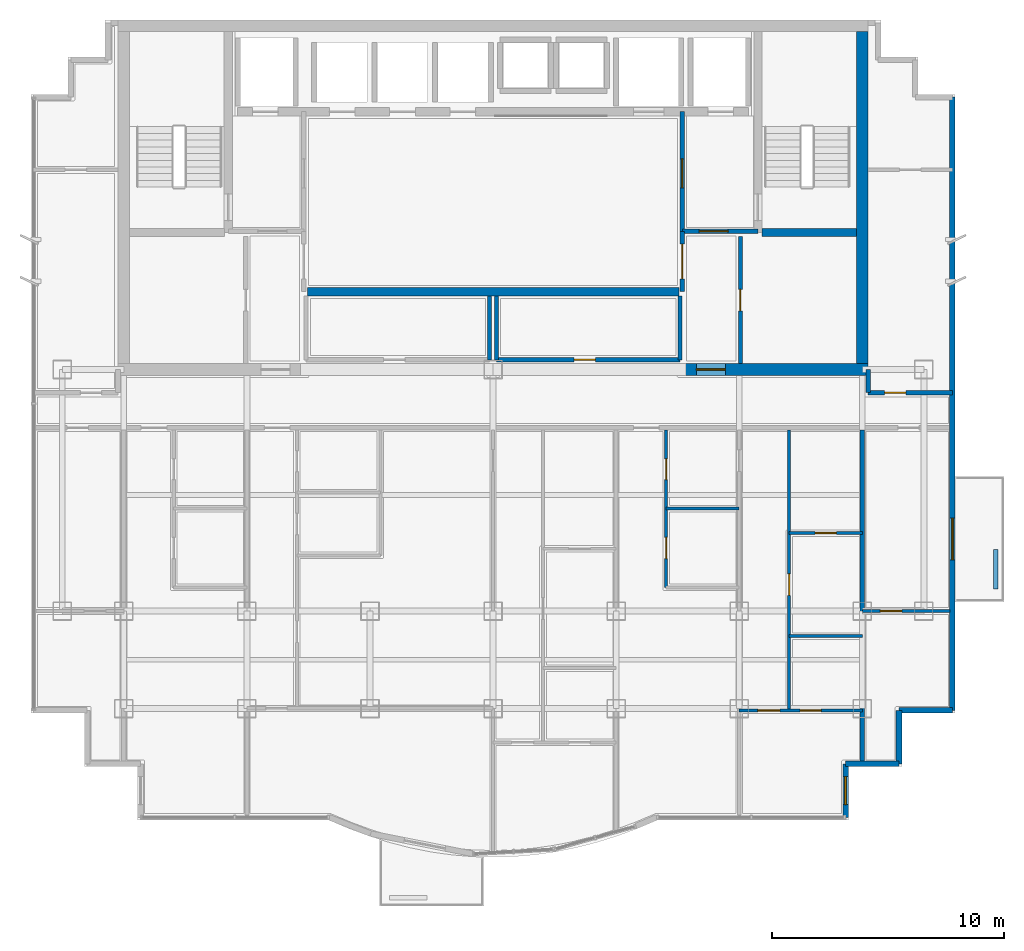
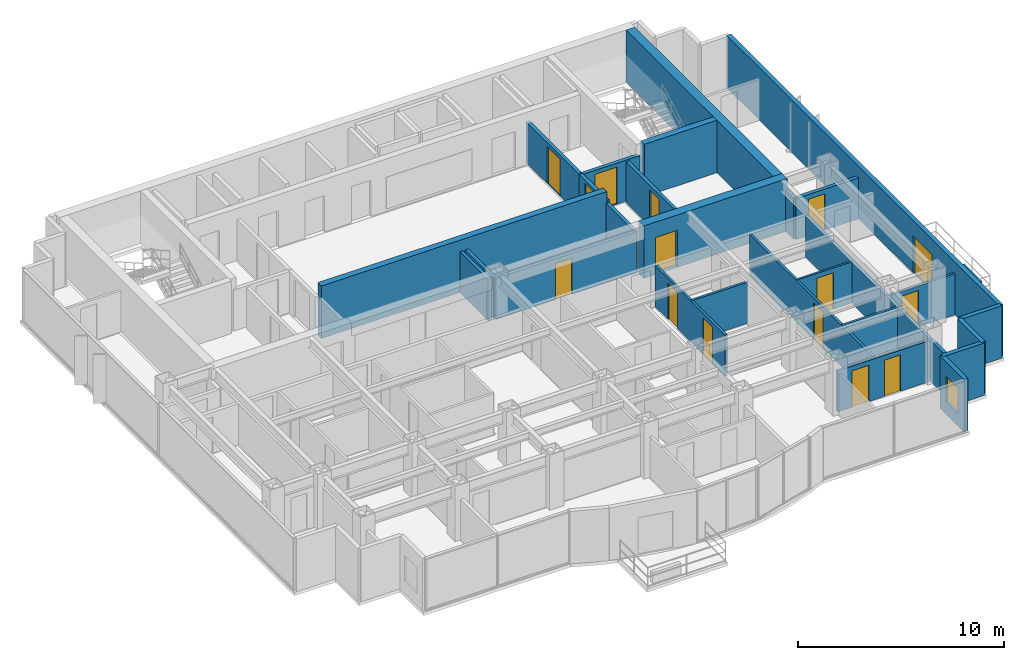
# One storey, part 8 of 11: 28 walls, 15 doors, 1 window, 16 openings.
"""IFC4 building model written with IfcOpenShell, lengths in metres."""

from ifc_helpers import new_model, si_unit, direction, frame, frame_2d, origin, place, context, subcontext, project, spatial, rectangle, extrude, material, layer, layer_set, type_object, element, fill, save


model = new_model("IFC4")

# Units and contexts
model_context = context("Model", 3, precision=1e-05, world=origin(), true_north=direction((0.0, 1.0)))
body_context = subcontext(model_context, "Body", "Model", "MODEL_VIEW")
ifc_project = project(units=[si_unit("LENGTHUNIT", "METRE"), si_unit("AREAUNIT", "SQUARE_METRE"), si_unit("VOLUMEUNIT", "CUBIC_METRE"), si_unit("PLANEANGLEUNIT", "RADIAN"), si_unit("MASSUNIT", "GRAM", prefix="KILO")], contexts=[model_context])

# Site, building, storey
site_placement = place(None, origin())
site = spatial("IfcSite", under=ifc_project, at=site_placement, CompositionType="ELEMENT")
building_placement = place(site_placement, origin())
building = spatial("IfcBuilding", under=site, at=building_placement, Name="Qianlan Lanfeng Residences", CompositionType="ELEMENT")
storey_placement = place(building_placement, frame((0.0, 0.0, 206.60009765625)))
storey = spatial("IfcBuildingStorey", under=building, at=storey_placement, Name="L56", CompositionType="ELEMENT", Elevation=206.60009765625)

# Walls
ifc_material_1 = material(Name="Concrete C49", Category="concrete")
ifc_layer_1 = layer(ifc_material_1, 0.35009765625)
ifc_layer_set_1 = layer_set([ifc_layer_1], Name="Concrete C49")
wall_type_1 = type_object("IfcWallType", Name="CW-RC-350", PredefinedType="SHEAR", material=ifc_layer_set_1)
wall_1_placement = place(storey_placement, frame((38.074951171875, 31.10009765625, 0.0), z_axis=(0.0, 0.0, 1.0), x_axis=(1.0, 0.0, 0.0)))
element("IfcWall", 1, at=wall_1_placement, inside=storey, type_object=wall_type_1, Name="L56 Core Shear Wall ST2S", PredefinedType="SHEAR", context=body_context, shape_type="SweptSolid", body=[
    extrude(rectangle(XDim=4.074951171875, YDim=0.35009765625, at=frame_2d((2.03759765625, 0.0))), origin(), (0.0, 0.0, 1.0), 3.10986328125),
])
wall_2_placement = place(storey_placement, frame((18.5, 28.550048828125, 0.0), z_axis=(0.0, 0.0, 1.0), x_axis=(1.0, 0.0, 0.0)))
element("IfcWall", 2, at=wall_2_placement, inside=storey, type_object=wall_type_1, Name="L56 Core Shear Wall LBS", PredefinedType="SHEAR", context=body_context, shape_type="SweptSolid", body=[
    extrude(rectangle(XDim=16.0, YDim=0.35009765625, at=frame_2d((8.0, 0.0))), origin(), (0.0, 0.0, 1.0), 3.10986328125),
])
ifc_material_2 = material(Name="Concrete C70", Category="concrete")
ifc_layer_2 = layer(ifc_material_2, 0.5)
ifc_layer_set_2 = layer_set([ifc_layer_2], Name="Concrete C70")
wall_type_2 = type_object("IfcWallType", Name="CW-RC-500", PredefinedType="SHEAR", material=ifc_layer_set_2)
wall_3_placement = place(storey_placement, frame((42.39990234375, 25.449951171875, 0.0), z_axis=(0.0, 0.0, 1.0), x_axis=(0.0, 1.0, 0.0)))
element("IfcWall", 3, at=wall_3_placement, inside=storey, type_object=wall_type_2, Name="L56 Core Shear Wall E", PredefinedType="SHEAR", context=body_context, shape_type="SweptSolid", body=[
    extrude(rectangle(XDim=14.300048828125, YDim=0.5, at=frame_2d((7.14990234375, 0.0))), origin(), (0.0, 0.0, 1.0), 3.10986328125),
])

# Wall, opening, door
wall_4_placement = place(storey_placement, frame((34.60009765625, 25.199951171875, 0.0), z_axis=(0.0, 0.0, 1.0), x_axis=(1.0, 0.0, 0.0)))
wall_4 = element("IfcWall", 4, at=wall_4_placement, inside=storey, type_object=wall_type_2, Name="L56 Core Shear Wall SE", PredefinedType="SHEAR", context=body_context, shape_type="SweptSolid", body=[
    extrude(rectangle(XDim=8.0498046875, YDim=0.5, at=frame_2d((4.02490234375, 0.0))), origin(), (0.0, 0.0, 1.0), 3.10986328125),
])
opening_1_placement = place(wall_4_placement, frame((0.64990234375, 0.0, 0.0)))
opening_1 = element("IfcOpeningElement", 5, at=opening_1_placement, cuts=wall_4, Name="Opening L56-D02", PredefinedType="OPENING", context=body_context, shape_type="SweptSolid", body=[
    extrude(rectangle(XDim=1.25, YDim=2.199951171875, at=frame_2d((0.625, 1.10009765625))), frame((0.0, 0.260009765625, 0.0), z_axis=(0.0, -1.0, 0.0), x_axis=(1.0, 0.0, 0.0)), (0.0, 0.0, 1.0), 0.52001953125),
])
ifc_material_3 = material(Name="Painted Galvanised Steel Fire Door", Category="steel")
door_type_1 = type_object("IfcDoorType", Name="DT-FFL", OperationType="NOTDEFINED", PredefinedType="DOOR", material=ifc_material_3)
door_1_placement = place(opening_1_placement, origin())
door_1 = element("IfcDoor", 6, at=door_1_placement, inside=storey, type_object=door_type_1, Name="L56 East Core Lobby Smoke Door L56-D02 (DT-FFL)", OperationType="SINGLE_SWING_LEFT", OverallHeight=2.199951171875, OverallWidth=1.25, PredefinedType="DOOR", context=body_context, shape_type="SweptSolid", body=[
    extrude(rectangle(XDim=1.25, YDim=2.199951171875, at=frame_2d((0.625, 1.10009765625))), frame((0.0, 0.02490234375, 0.0), z_axis=(0.0, -1.0, 0.0), x_axis=(1.0, 0.0, 0.0)), (0.0, 0.0, 1.0), 0.050048828125),
])
fill(opening_1, door_1)

# Wall, opening, window
ifc_material_4 = material(Name="Concrete C42", Category="concrete")
ifc_layer_3 = layer(ifc_material_4, 0.239990234375)
ifc_layer_set_3 = layer_set([ifc_layer_3], Name="Concrete C42")
wall_type_3 = type_object("IfcWallType", Name="EW-240", PredefinedType="SOLIDWALL", material=ifc_layer_set_3)
wall_5_placement = place(storey_placement, frame((41.679931640625, 5.919921875, 0.0), z_axis=(0.0, 0.0, 1.0), x_axis=(0.0, 1.0, 0.0)))
wall_5 = element("IfcWall", 7, at=wall_5_placement, inside=storey, type_object=wall_type_3, Name="L56 Exterior Facade Spandrel Wall 8", PredefinedType="SOLIDWALL", context=body_context, shape_type="SweptSolid", body=[
    extrude(rectangle(XDim=2.300048828125, YDim=0.239990234375, at=frame_2d((1.14990234375, 0.0))), origin(), (0.0, 0.0, 1.0), 3.10986328125),
])
opening_2_placement = place(wall_5_placement, frame((0.550048828125, 0.0, 0.75)))
opening_2 = element("IfcOpeningElement", 8, at=opening_2_placement, cuts=wall_5, Name="Opening W-03", PredefinedType="OPENING", context=body_context, shape_type="SweptSolid", body=[
    extrude(rectangle(XDim=1.199951171875, YDim=1.5, at=frame_2d((0.60009765625, 0.75))), frame((0.0, 0.1298828125, 0.0), z_axis=(0.0, -1.0, 0.0), x_axis=(1.0, 0.0, 0.0)), (0.0, 0.0, 1.0), 0.260009765625),
])
ifc_material_5 = material(Name="Anodised Bronze Aluminium Framed Double Glazing", Category="aluminium")
window_type = type_object("IfcWindowType", Name="W-03", PartitioningType="SINGLE_PANEL", PredefinedType="WINDOW", material=ifc_material_5)
window_placement = place(opening_2_placement, origin())
window = element("IfcWindow", 9, at=window_placement, inside=storey, type_object=window_type, Name="L56 Facade Punched Window W-03", OverallHeight=1.5, OverallWidth=1.199951171875, PartitioningType="SINGLE_PANEL", PredefinedType="WINDOW", context=body_context, shape_type="SweptSolid", body=[
    extrude(rectangle(XDim=1.199951171875, YDim=1.5, at=frame_2d((0.60009765625, 0.75))), frame((0.0, 0.030029296875, 0.0), z_axis=(0.0, -1.0, 0.0), x_axis=(1.0, 0.0, 0.0)), (0.0, 0.0, 1.0), 0.06005859375),
])
fill(opening_2, window)

# Walls
for number, where, z_axis, x_axis, name in (
    (10, (41.679931640625, 8.219970703125, 0.0), (0.0, 0.0, 1.0), (1.0, 0.0, 0.0), "L56 Exterior Facade Spandrel Wall 9"),
    (11, (43.97998046875, 8.219970703125, 0.0), (0.0, 0.0, 1.0), (0.0, 1.0, 0.0), "L56 Exterior Facade Spandrel Wall 10"),
    (12, (43.97998046875, 10.52001953125, 0.0), (0.0, 0.0, 1.0), (1.0, 0.0, 0.0), "L56 Exterior Facade Spandrel Wall 11"),
):
    element("IfcWall", number, at=place(storey_placement, frame(where, z_axis=z_axis, x_axis=x_axis)), inside=storey, type_object=wall_type_3, Name=name, PredefinedType="SOLIDWALL", context=body_context, shape_type="SweptSolid", body=[
        extrude(rectangle(XDim=2.300048828125, YDim=0.239990234375, at=frame_2d((1.14990234375, 0.0))), origin(), (0.0, 0.0, 1.0), 3.10986328125),
    ])

# Wall, opening, door
wall_6_placement = place(storey_placement, frame((46.280029296875, 10.52001953125, 0.0), z_axis=(0.0, 0.0, 1.0), x_axis=(0.0, 1.0, 0.0)))
wall_6 = element("IfcWall", 13, at=wall_6_placement, inside=storey, type_object=wall_type_3, Name="L56 Terrace/Balcony Access Exterior Wall 12", PredefinedType="SOLIDWALL", context=body_context, shape_type="SweptSolid", body=[
    extrude(rectangle(XDim=26.409912109375, YDim=0.239990234375, at=frame_2d((13.205078125, 0.0))), origin(), (0.0, 0.0, 1.0), 3.10986328125),
])
opening_3_placement = place(wall_6_placement, frame((6.47998046875, 0.0, 0.0)))
opening_3 = element("IfcOpeningElement", 14, at=opening_3_placement, cuts=wall_6, Name="Opening L56-D-EB-S", PredefinedType="OPENING", context=body_context, shape_type="SweptSolid", body=[
    extrude(rectangle(XDim=1.800048828125, YDim=2.199951171875, at=frame_2d((0.89990234375, 1.10009765625))), frame((0.0, 0.1298828125, 0.0), z_axis=(0.0, -1.0, 0.0), x_axis=(1.0, 0.0, 0.0)), (0.0, 0.0, 1.0), 0.260009765625),
])
ifc_material_6 = material(Name="Anodised Bronze Aluminium Framed Glass", Category="aluminium")
door_type_2 = type_object("IfcDoorType", Name="DT-BAL1", OperationType="NOTDEFINED", PredefinedType="DOOR", material=ifc_material_6)
door_2_placement = place(opening_3_placement, frame((1.800048828125, 0.0, 0.0), z_axis=(0.0, 0.0, 1.0), x_axis=(-1.0, 0.0, 0.0)))
door_2 = element("IfcDoor", 15, at=door_2_placement, inside=storey, type_object=door_type_2, Name="L56 Exterior Access Door EB-S", OperationType="DOUBLE_DOOR_SLIDING", OverallHeight=2.199951171875, OverallWidth=1.800048828125, PredefinedType="DOOR", context=body_context, shape_type="SweptSolid", body=[
    extrude(rectangle(XDim=1.800048828125, YDim=2.199951171875, at=frame_2d((0.89990234375, 1.10009765625))), frame((0.0, 0.02490234375, 0.0), z_axis=(0.0, -1.0, 0.0), x_axis=(1.0, 0.0, 0.0)), (0.0, 0.0, 1.0), 0.050048828125),
])
fill(opening_3, door_2)

# Wall
ifc_layer_4 = layer(ifc_material_4, 0.199951171875)
ifc_layer_set_4 = layer_set([ifc_layer_4], Name="Concrete C42")
wall_type_4 = type_object("IfcWallType", Name="PL-TREE-200", PredefinedType="PARAPET", material=ifc_layer_set_4)
wall_7_placement = place(storey_placement, frame((48.14990234375, 15.75, 0.0), z_axis=(0.0, 0.0, 1.0), x_axis=(0.0, 1.0, 0.0)))
element("IfcWall", 16, at=wall_7_placement, inside=storey, type_object=wall_type_4, Name="L56 East Tree Planter Curb EB-S", PredefinedType="PARAPET", context=body_context, shape_type="SweptSolid", body=[
    extrude(rectangle(XDim=1.699951171875, YDim=0.199951171875, at=frame_2d((0.85009765625, 0.0))), origin(), (0.0, 0.0, 1.0), 0.64990234375),
])

# Wall, opening, door
ifc_material_7 = material(Name="Demountable Acoustic Framing Partition 110 mm")
ifc_layer_5 = layer(ifc_material_7, 0.110107421875)
ifc_layer_set_5 = layer_set([ifc_layer_5], Name="Demountable Acoustic Framing Partition 110 mm")
wall_type_5 = type_object("IfcWallType", Name="PW-110", PredefinedType="MOVABLE", material=ifc_layer_set_5)
wall_8_placement = place(storey_placement, frame((39.25, 18.159912109375, 0.0), z_axis=(0.0, 0.0, 1.0), x_axis=(1.0, 0.0, 0.0)))
wall_8 = element("IfcWall", 17, at=wall_8_placement, inside=storey, type_object=wall_type_5, Name="L56 U03 Wardrobe Split", PredefinedType="MOVABLE", context=body_context, shape_type="SweptSolid", body=[
    extrude(rectangle(XDim=3.14990234375, YDim=0.110107421875, at=frame_2d((1.574951171875, 0.0))), origin(), (0.0, 0.0, 1.0), 2.429931640625),
])
opening_4_placement = place(wall_8_placement, frame((1.114990234375, 0.0, 0.0)))
opening_4 = element("IfcOpeningElement", 18, at=opening_4_placement, cuts=wall_8, Name="Opening L56-D35", PredefinedType="OPENING", context=body_context, shape_type="SweptSolid", body=[
    extrude(rectangle(XDim=0.919921875, YDim=2.14990234375, at=frame_2d((0.4599609375, 1.074951171875))), frame((0.0, 0.06494140625, 0.0), z_axis=(0.0, -1.0, 0.0), x_axis=(1.0, 0.0, 0.0)), (0.0, 0.0, 1.0), 0.130126953125),
])
ifc_material_8 = material(Name="Glazed Timber Kitchen/Study Door", Category="wood")
door_type_3 = type_object("IfcDoorType", Name="DT-INT", OperationType="NOTDEFINED", PredefinedType="DOOR", material=ifc_material_8)
door_3_placement = place(opening_4_placement, origin())
door_3 = element("IfcDoor", 19, at=door_3_placement, inside=storey, type_object=door_type_3, Name="L56 U03 Dressing Inner Door L56-D35 (DT-INT)", OperationType="SINGLE_SWING_RIGHT", OverallHeight=2.14990234375, OverallWidth=0.919921875, PredefinedType="DOOR", context=body_context, shape_type="SweptSolid", body=[
    extrude(rectangle(XDim=0.919921875, YDim=2.14990234375, at=frame_2d((0.4599609375, 1.074951171875))), frame((0.0, 0.02490234375, 0.0), z_axis=(0.0, -1.0, 0.0), x_axis=(1.0, 0.0, 0.0)), (0.0, 0.0, 1.0), 0.050048828125),
])
fill(opening_4, door_3)

# Wall, openings, doors
ifc_material_9 = material(Name="Moisture-Resistant Gypsum Partition 135 mm")
ifc_layer_6 = layer(ifc_material_9, 0.135009765625)
ifc_layer_set_6 = layer_set([ifc_layer_6], Name="Moisture-Resistant Gypsum Partition 135 mm")
wall_type_6 = type_object("IfcWallType", Name="PW-135", PredefinedType="PARTITIONING", material=ifc_layer_set_6)
wall_9_placement = place(storey_placement, frame((33.949951171875, 15.820068359375, 0.0), z_axis=(0.0, 0.0, 1.0), x_axis=(0.0, 1.0, 0.0)))
wall_9 = element("IfcWall", 20, at=wall_9_placement, inside=storey, type_object=wall_type_6, Name="L56 U03 Wet Stack Spine", PredefinedType="PARTITIONING", context=body_context, shape_type="SweptSolid", body=[
    extrude(rectangle(XDim=6.780029296875, YDim=0.135009765625, at=frame_2d((3.39013671875, 0.0))), origin(), (0.0, 0.0, 1.0), 2.429931640625),
])
opening_5_placement = place(wall_9_placement, frame((1.235107421875, 0.0, 0.0)))
opening_5 = element("IfcOpeningElement", 21, at=opening_5_placement, cuts=wall_9, Name="Opening L56-D30", PredefinedType="OPENING", context=body_context, shape_type="SweptSolid", body=[
    extrude(rectangle(XDim=0.919921875, YDim=2.14990234375, at=frame_2d((0.4599609375, 1.074951171875))), frame((0.0, 0.07763671875, 0.0), z_axis=(0.0, -1.0, 0.0), x_axis=(1.0, 0.0, 0.0)), (0.0, 0.0, 1.0), 0.155029296875),
])
opening_6_placement = place(wall_9_placement, frame((4.635009765625, 0.0, 0.0)))
opening_6 = element("IfcOpeningElement", 22, at=opening_6_placement, cuts=wall_9, Name="Opening L56-D31", PredefinedType="OPENING", context=body_context, shape_type="SweptSolid", body=[
    extrude(rectangle(XDim=0.89990234375, YDim=2.14990234375, at=frame_2d((0.449951171875, 1.074951171875))), frame((0.0, 0.07763671875, 0.0), z_axis=(0.0, -1.0, 0.0), x_axis=(1.0, 0.0, 0.0)), (0.0, 0.0, 1.0), 0.155029296875),
])
door_4_placement = place(opening_5_placement, origin())
door_4 = element("IfcDoor", 23, at=door_4_placement, inside=storey, type_object=door_type_3, Name="L56 U03 Kitchen Door L56-D30 (DT-INT)", OperationType="SINGLE_SWING_LEFT", OverallHeight=2.14990234375, OverallWidth=0.919921875, PredefinedType="DOOR", context=body_context, shape_type="SweptSolid", body=[
    extrude(rectangle(XDim=0.919921875, YDim=2.14990234375, at=frame_2d((0.4599609375, 1.074951171875))), frame((0.0, 0.02490234375, 0.0), z_axis=(0.0, -1.0, 0.0), x_axis=(1.0, 0.0, 0.0)), (0.0, 0.0, 1.0), 0.050048828125),
])
fill(opening_5, door_4)
ifc_material_10 = material(Name="Moisture-Resistant Timber Leaf", Category="wood")
door_type_4 = type_object("IfcDoorType", Name="DT-WC", OperationType="NOTDEFINED", PredefinedType="DOOR", material=ifc_material_10)
door_5_placement = place(opening_6_placement, origin())
door_5 = element("IfcDoor", 24, at=door_5_placement, inside=storey, type_object=door_type_4, Name="L56 U03 Bathroom Door L56-D31 (DT-WC)", OperationType="SINGLE_SWING_RIGHT", OverallHeight=2.14990234375, OverallWidth=0.89990234375, PredefinedType="DOOR", context=body_context, shape_type="SweptSolid", body=[
    extrude(rectangle(XDim=0.89990234375, YDim=2.14990234375, at=frame_2d((0.449951171875, 1.074951171875))), frame((0.0, 0.02490234375, 0.0), z_axis=(0.0, -1.0, 0.0), x_axis=(1.0, 0.0, 0.0)), (0.0, 0.0, 1.0), 0.050048828125),
])
fill(opening_6, door_5)

# Wall
wall_10_placement = place(storey_placement, frame((33.949951171875, 19.2099609375, 0.0), z_axis=(0.0, 0.0, 1.0), x_axis=(1.0, 0.0, 0.0)))
element("IfcWall", 25, at=wall_10_placement, inside=storey, type_object=wall_type_6, Name="L56 U03 Bathroom South Wall", PredefinedType="PARTITIONING", context=body_context, shape_type="SweptSolid", body=[
    extrude(rectangle(XDim=3.150146484375, YDim=0.135009765625, at=frame_2d((1.5751953125, 0.0))), origin(), (0.0, 0.0, 1.0), 2.429931640625),
])

# Wall, openings, doors
wall_11_placement = place(storey_placement, frame((37.10009765625, 10.52001953125, 0.0), z_axis=(0.0, 0.0, 1.0), x_axis=(1.0, 0.0, 0.0)))
wall_11 = element("IfcWall", 26, at=wall_11_placement, inside=storey, type_object=wall_type_6, Name="L56 U03 Master Bedroom North Wall", PredefinedType="PARTITIONING", context=body_context, shape_type="SweptSolid", body=[
    extrude(rectangle(XDim=5.2998046875, YDim=0.135009765625, at=frame_2d((2.64990234375, 0.0))), origin(), (0.0, 0.0, 1.0), 2.429931640625),
])
opening_7_placement = place(wall_11_placement, frame((0.800048828125, 0.0, 0.0)))
opening_7 = element("IfcOpeningElement", 27, at=opening_7_placement, cuts=wall_11, Name="Opening L56-D32", PredefinedType="OPENING", context=body_context, shape_type="SweptSolid", body=[
    extrude(rectangle(XDim=0.949951171875, YDim=2.14990234375, at=frame_2d((0.47509765625, 1.074951171875))), frame((0.0, 0.07763671875, 0.0), z_axis=(0.0, -1.0, 0.0), x_axis=(1.0, 0.0, 0.0)), (0.0, 0.0, 1.0), 0.155029296875),
])
opening_8_placement = place(wall_11_placement, frame((2.625, 0.0, 0.0)))
opening_8 = element("IfcOpeningElement", 28, at=opening_8_placement, cuts=wall_11, Name="Opening L56-D33", PredefinedType="OPENING", context=body_context, shape_type="SweptSolid", body=[
    extrude(rectangle(XDim=0.89990234375, YDim=2.14990234375, at=frame_2d((0.449951171875, 1.074951171875))), frame((0.0, 0.07763671875, 0.0), z_axis=(0.0, -1.0, 0.0), x_axis=(1.0, 0.0, 0.0)), (0.0, 0.0, 1.0), 0.155029296875),
])
ifc_material_11 = material(Name="Painted Solid-Core Timber Leaf", Category="wood")
door_type_5 = type_object("IfcDoorType", Name="DT-BED", OperationType="NOTDEFINED", PredefinedType="DOOR", material=ifc_material_11)
door_6_placement = place(opening_7_placement, origin())
door_6 = element("IfcDoor", 29, at=door_6_placement, inside=storey, type_object=door_type_5, Name="L56 U03 Master Bedroom Door L56-D32 (DT-BED)", OperationType="SINGLE_SWING_RIGHT", OverallHeight=2.14990234375, OverallWidth=0.949951171875, PredefinedType="DOOR", context=body_context, shape_type="SweptSolid", body=[
    extrude(rectangle(XDim=0.949951171875, YDim=2.14990234375, at=frame_2d((0.47509765625, 1.074951171875))), frame((0.0, 0.02490234375, 0.0), z_axis=(0.0, -1.0, 0.0), x_axis=(1.0, 0.0, 0.0)), (0.0, 0.0, 1.0), 0.050048828125),
])
fill(opening_7, door_6)
door_7_placement = place(opening_8_placement, origin())
door_7 = element("IfcDoor", 30, at=door_7_placement, inside=storey, type_object=door_type_4, Name="L56 U03 En-Suite Bathroom Door L56-D33 (DT-WC)", OperationType="SINGLE_SWING_RIGHT", OverallHeight=2.14990234375, OverallWidth=0.89990234375, PredefinedType="DOOR", context=body_context, shape_type="SweptSolid", body=[
    extrude(rectangle(XDim=0.89990234375, YDim=2.14990234375, at=frame_2d((0.449951171875, 1.074951171875))), frame((0.0, 0.02490234375, 0.0), z_axis=(0.0, -1.0, 0.0), x_axis=(1.0, 0.0, 0.0)), (0.0, 0.0, 1.0), 0.050048828125),
])
fill(opening_8, door_7)

# Wall, opening, door
wall_12_placement = place(storey_placement, frame((39.25, 10.52001953125, 0.0), z_axis=(0.0, 0.0, 1.0), x_axis=(0.0, 1.0, 0.0)))
wall_12 = element("IfcWall", 31, at=wall_12_placement, inside=storey, type_object=wall_type_6, Name="L56 U03 Master Passage Wall", PredefinedType="PARTITIONING", context=body_context, shape_type="SweptSolid", body=[
    extrude(rectangle(XDim=12.080078125, YDim=0.135009765625, at=frame_2d((6.0400390625, 0.0))), origin(), (0.0, 0.0, 1.0), 2.429931640625),
])
opening_9_placement = place(wall_12_placement, frame((4.9599609375, 0.0, 0.0)))
opening_9 = element("IfcOpeningElement", 32, at=opening_9_placement, cuts=wall_12, Name="Opening L56-D34", PredefinedType="OPENING", context=body_context, shape_type="SweptSolid", body=[
    extrude(rectangle(XDim=0.919921875, YDim=2.14990234375, at=frame_2d((0.4599609375, 1.074951171875))), frame((0.0, 0.07763671875, 0.0), z_axis=(0.0, -1.0, 0.0), x_axis=(1.0, 0.0, 0.0)), (0.0, 0.0, 1.0), 0.155029296875),
])
door_8_placement = place(opening_9_placement, origin())
door_8 = element("IfcDoor", 33, at=door_8_placement, inside=storey, type_object=door_type_3, Name="L56 U03 Wardrobe Door L56-D34 (DT-INT)", OperationType="SINGLE_SWING_LEFT", OverallHeight=2.14990234375, OverallWidth=0.919921875, PredefinedType="DOOR", context=body_context, shape_type="SweptSolid", body=[
    extrude(rectangle(XDim=0.919921875, YDim=2.14990234375, at=frame_2d((0.4599609375, 1.074951171875))), frame((0.0, 0.02490234375, 0.0), z_axis=(0.0, -1.0, 0.0), x_axis=(1.0, 0.0, 0.0)), (0.0, 0.0, 1.0), 0.050048828125),
])
fill(opening_9, door_8)

# Wall
wall_13_placement = place(storey_placement, frame((39.25, 13.719970703125, 0.0), z_axis=(0.0, 0.0, 1.0), x_axis=(1.0, 0.0, 0.0)))
element("IfcWall", 34, at=wall_13_placement, inside=storey, type_object=wall_type_6, Name="L56 U03 En-Suite North Wall", PredefinedType="PARTITIONING", context=body_context, shape_type="SweptSolid", body=[
    extrude(rectangle(XDim=3.14990234375, YDim=0.135009765625, at=frame_2d((1.574951171875, 0.0))), origin(), (0.0, 0.0, 1.0), 2.429931640625),
])

# Wall, opening, door
wall_14_placement = place(storey_placement, frame((42.39990234375, 14.800048828125, 0.0), z_axis=(0.0, 0.0, 1.0), x_axis=(1.0, 0.0, 0.0)))
wall_14 = element("IfcWall", 35, at=wall_14_placement, inside=storey, type_object=wall_type_6, Name="L56 SEP Mid Partition", PredefinedType="PARTITIONING", context=body_context, shape_type="SweptSolid", body=[
    extrude(rectangle(XDim=3.780029296875, YDim=0.135009765625, at=frame_2d((1.89013671875, 0.0))), origin(), (0.0, 0.0, 1.0), 2.429931640625),
])
opening_10_placement = place(wall_14_placement, frame((0.780029296875, 0.0, 0.0)))
opening_10 = element("IfcOpeningElement", 36, at=opening_10_placement, cuts=wall_14, Name="Opening L56-D38", PredefinedType="OPENING", context=body_context, shape_type="SweptSolid", body=[
    extrude(rectangle(XDim=0.919921875, YDim=2.14990234375, at=frame_2d((0.4599609375, 1.074951171875))), frame((0.0, 0.07763671875, 0.0), z_axis=(0.0, -1.0, 0.0), x_axis=(1.0, 0.0, 0.0)), (0.0, 0.0, 1.0), 0.155029296875),
])
door_9_placement = place(opening_10_placement, origin())
door_9 = element("IfcDoor", 37, at=door_9_placement, inside=storey, type_object=door_type_3, Name="L56 SEP Inner Door L56-D38 (DT-INT)", OperationType="SINGLE_SWING_RIGHT", OverallHeight=2.14990234375, OverallWidth=0.919921875, PredefinedType="DOOR", context=body_context, shape_type="SweptSolid", body=[
    extrude(rectangle(XDim=0.919921875, YDim=2.14990234375, at=frame_2d((0.4599609375, 1.074951171875))), frame((0.0, 0.02490234375, 0.0), z_axis=(0.0, -1.0, 0.0), x_axis=(1.0, 0.0, 0.0)), (0.0, 0.0, 1.0), 0.050048828125),
])
fill(opening_10, door_9)

ifc_material_12 = material(Name="Double-Layer Acoustic Gypsum Stud Wall 180 mm")
ifc_layer_7 = layer(ifc_material_12, 0.179931640625)
ifc_layer_set_7 = layer_set([ifc_layer_7], Name="Double-Layer Acoustic Gypsum Stud Wall 180 mm")
wall_type_7 = type_object("IfcWallType", Name="PW-180", PredefinedType="PARTITIONING", material=ifc_layer_set_7)
wall_15_placement = place(storey_placement, frame((37.14990234375, 25.449951171875, 0.0), z_axis=(0.0, 0.0, 1.0), x_axis=(0.0, 1.0, 0.0)))
wall_15 = element("IfcWall", 38, at=wall_15_placement, inside=storey, type_object=wall_type_7, Name="L56 Core East Service Room Wall", PredefinedType="PARTITIONING", context=body_context, shape_type="SweptSolid", body=[
    extrude(rectangle(XDim=5.47509765625, YDim=0.179931640625, at=frame_2d((2.737548828125, 0.0))), origin(), (0.0, 0.0, 1.0), 2.429931640625),
])
opening_11_placement = place(wall_15_placement, frame((2.277099609375, 0.0, 0.0)))
opening_11 = element("IfcOpeningElement", 39, at=opening_11_placement, cuts=wall_15, Name="Opening L56-D10", PredefinedType="OPENING", context=body_context, shape_type="SweptSolid", body=[
    extrude(rectangle(XDim=0.919921875, YDim=2.14990234375, at=frame_2d((0.4599609375, 1.074951171875))), frame((0.0, 0.10009765625, 0.0), z_axis=(0.0, -1.0, 0.0), x_axis=(1.0, 0.0, 0.0)), (0.0, 0.0, 1.0), 0.199951171875),
])
door_10_placement = place(opening_11_placement, origin())
door_10 = element("IfcDoor", 40, at=door_10_placement, inside=storey, type_object=door_type_3, Name="L56 Refuse Recycling Door L56-D10 (DT-INT)", OperationType="SINGLE_SWING_LEFT", OverallHeight=2.14990234375, OverallWidth=0.919921875, PredefinedType="DOOR", context=body_context, shape_type="SweptSolid", body=[
    extrude(rectangle(XDim=0.919921875, YDim=2.14990234375, at=frame_2d((0.4599609375, 1.074951171875))), frame((0.0, 0.02490234375, 0.0), z_axis=(0.0, -1.0, 0.0), x_axis=(1.0, 0.0, 0.0)), (0.0, 0.0, 1.0), 0.050048828125),
])
fill(opening_11, door_10)

# Walls
for number, where, z_axis, x_axis, name in (
    (41, (26.35009765625, 25.6201171875, 0.0), (0.0, 0.0, 1.0), (0.0, 1.0, 0.0), "L56 Reclaimed Low-Bank Room East Wall"),
    (42, (26.64990234375, 25.6201171875, 0.0), (0.0, 0.0, 1.0), (0.0, 1.0, 0.0), "L56 Reclaimed Mid-Bank Room West Wall"),
    (43, (34.550048828125, 25.6201171875, 0.0), (0.0, 0.0, 1.0), (0.0, 1.0, 0.0), "L56 Reclaimed Mid-Bank Room East Wall"),
):
    element("IfcWall", number, at=place(storey_placement, frame(where, z_axis=z_axis, x_axis=x_axis)), inside=storey, type_object=wall_type_7, Name=name, PredefinedType="PARTITIONING", context=body_context, shape_type="SweptSolid", body=[
        extrude(rectangle(XDim=2.7548828125, YDim=0.179931640625, at=frame_2d((1.37744140625, 0.0))), origin(), (0.0, 0.0, 1.0), 2.429931640625),
    ])

# Wall, opening, door
wall_16_placement = place(storey_placement, frame((26.64990234375, 25.6201171875, 0.0), z_axis=(0.0, 0.0, 1.0), x_axis=(1.0, 0.0, 0.0)))
wall_16 = element("IfcWall", 44, at=wall_16_placement, inside=storey, type_object=wall_type_7, Name="L56 Reclaimed Mid-Bank Room South Wall", PredefinedType="PARTITIONING", context=body_context, shape_type="SweptSolid", body=[
    extrude(rectangle(XDim=7.900146484375, YDim=0.179931640625, at=frame_2d((3.9501953125, 0.0))), origin(), (0.0, 0.0, 1.0), 2.429931640625),
])
opening_12_placement = place(wall_16_placement, frame((3.340087890625, 0.0, 0.0)))
opening_12 = element("IfcOpeningElement", 45, at=opening_12_placement, cuts=wall_16, Name="Opening L56-D14", PredefinedType="OPENING", context=body_context, shape_type="SweptSolid", body=[
    extrude(rectangle(XDim=0.919921875, YDim=2.14990234375, at=frame_2d((0.4599609375, 1.074951171875))), frame((0.0, 0.10009765625, 0.0), z_axis=(0.0, -1.0, 0.0), x_axis=(1.0, 0.0, 0.0)), (0.0, 0.0, 1.0), 0.199951171875),
])
door_11_placement = place(opening_12_placement, origin())
door_11 = element("IfcDoor", 46, at=door_11_placement, inside=storey, type_object=door_type_3, Name="L56 Reclaimed Mid-Bank Salon Door L56-D14 (DT-INT)", OperationType="SINGLE_SWING_LEFT", OverallHeight=2.14990234375, OverallWidth=0.919921875, PredefinedType="DOOR", context=body_context, shape_type="SweptSolid", body=[
    extrude(rectangle(XDim=0.919921875, YDim=2.14990234375, at=frame_2d((0.4599609375, 1.074951171875))), frame((0.0, 0.02490234375, 0.0), z_axis=(0.0, -1.0, 0.0), x_axis=(1.0, 0.0, 0.0)), (0.0, 0.0, 1.0), 0.050048828125),
])
fill(opening_12, door_11)

# Wall
wall_17_placement = place(storey_placement, frame((42.39990234375, 8.320068359375, 0.0), z_axis=(0.0, 0.0, 1.0), x_axis=(0.0, 1.0, 0.0)))
element("IfcWall", 47, at=wall_17_placement, inside=storey, type_object=wall_type_7, Name="L56 Wing Boundary Party Wall E0", PredefinedType="PARTITIONING", context=body_context, shape_type="SweptSolid", body=[
    extrude(rectangle(XDim=14.280029296875, YDim=0.179931640625, at=frame_2d((7.14013671875, 0.0))), origin(), (0.0, 0.0, 1.0), 2.429931640625),
])

# Wall, opening, door
ifc_material_13 = material(Name="Autoclaved Aerated Concrete Blockwork 200 mm", Category="masonry")
ifc_layer_8 = layer(ifc_material_13, 0.199951171875)
ifc_layer_set_8 = layer_set([ifc_layer_8], Name="Autoclaved Aerated Concrete Blockwork 200 mm")
wall_type_8 = type_object("IfcWallType", Name="PW-200", PredefinedType="PARTITIONING", material=ifc_layer_set_8)
wall_18_placement = place(storey_placement, frame((34.64990234375, 31.14990234375, 0.0), z_axis=(0.0, 0.0, 1.0), x_axis=(1.0, 0.0, 0.0)))
wall_18 = element("IfcWall", 48, at=wall_18_placement, inside=storey, type_object=wall_type_8, Name="L56 Firefighting Lobby 2 South Wall", PredefinedType="PARTITIONING", context=body_context, shape_type="SweptSolid", body=[
    extrude(rectangle(XDim=3.25, YDim=0.199951171875, at=frame_2d((1.625, 0.0))), origin(), (0.0, 0.0, 1.0), 2.429931640625),
])
opening_13_placement = place(wall_18_placement, frame((0.72509765625, 0.0, 0.0)))
opening_13 = element("IfcOpeningElement", 49, at=opening_13_placement, cuts=wall_18, Name="Opening L56-D05", PredefinedType="OPENING", context=body_context, shape_type="SweptSolid", body=[
    extrude(rectangle(XDim=1.25, YDim=2.199951171875, at=frame_2d((0.625, 1.10009765625))), frame((0.0, 0.10986328125, 0.0), z_axis=(0.0, -1.0, 0.0), x_axis=(1.0, 0.0, 0.0)), (0.0, 0.0, 1.0), 0.219970703125),
])
door_12_placement = place(opening_13_placement, origin())
door_12 = element("IfcDoor", 50, at=door_12_placement, inside=storey, type_object=door_type_1, Name="L56 Firefighting Lobby 2 Entry Door L56-D05 (DT-FFL)", OperationType="SINGLE_SWING_RIGHT", OverallHeight=2.199951171875, OverallWidth=1.25, PredefinedType="DOOR", context=body_context, shape_type="SweptSolid", body=[
    extrude(rectangle(XDim=1.25, YDim=2.199951171875, at=frame_2d((0.625, 1.10009765625))), frame((0.0, 0.02490234375, 0.0), z_axis=(0.0, -1.0, 0.0), x_axis=(1.0, 0.0, 0.0)), (0.0, 0.0, 1.0), 0.050048828125),
])
fill(opening_13, door_12)

wall_19_placement = place(storey_placement, frame((34.64990234375, 31.14990234375, 0.0), z_axis=(0.0, 0.0, 1.0), x_axis=(0.0, 1.0, 0.0)))
wall_19 = element("IfcWall", 51, at=wall_19_placement, inside=storey, type_object=wall_type_8, Name="L56 Firefighting Lobby 2 West Wall", PredefinedType="PARTITIONING", context=body_context, shape_type="SweptSolid", body=[
    extrude(rectangle(XDim=5.150146484375, YDim=0.199951171875, at=frame_2d((2.5751953125, 0.0))), origin(), (0.0, 0.0, 1.0), 2.429931640625),
])
opening_14_placement = place(wall_19_placement, frame((1.875, 0.0, 0.0)))
opening_14 = element("IfcOpeningElement", 52, at=opening_14_placement, cuts=wall_19, Name="Opening L56-D06", PredefinedType="OPENING", context=body_context, shape_type="SweptSolid", body=[
    extrude(rectangle(XDim=1.25, YDim=2.199951171875, at=frame_2d((0.625, 1.10009765625))), frame((0.0, 0.10986328125, 0.0), z_axis=(0.0, -1.0, 0.0), x_axis=(1.0, 0.0, 0.0)), (0.0, 0.0, 1.0), 0.219970703125),
])
door_13_placement = place(opening_14_placement, origin())
door_13 = element("IfcDoor", 53, at=door_13_placement, inside=storey, type_object=door_type_1, Name="L56 Firefighting Lobby 2 Lift Lobby Door L56-D06 (DT-FFL)", OperationType="SINGLE_SWING_LEFT", OverallHeight=2.199951171875, OverallWidth=1.25, PredefinedType="DOOR", context=body_context, shape_type="SweptSolid", body=[
    extrude(rectangle(XDim=1.25, YDim=2.199951171875, at=frame_2d((0.625, 1.10009765625))), frame((0.0, 0.02490234375, 0.0), z_axis=(0.0, -1.0, 0.0), x_axis=(1.0, 0.0, 0.0)), (0.0, 0.0, 1.0), 0.050048828125),
])
fill(opening_14, door_13)

wall_20_placement = place(storey_placement, frame((34.64990234375, 28.550048828125, 0.0), z_axis=(0.0, 0.0, 1.0), x_axis=(0.0, 1.0, 0.0)))
wall_20 = element("IfcWall", 54, at=wall_20_placement, inside=storey, type_object=wall_type_8, Name="L56 Lift Lobby East Connector Wall", PredefinedType="PARTITIONING", context=body_context, shape_type="SweptSolid", body=[
    extrude(rectangle(XDim=2.599853515625, YDim=0.199951171875, at=frame_2d((1.2998046875, 0.0))), origin(), (0.0, 0.0, 1.0), 2.429931640625),
])
opening_15_placement = place(wall_20_placement, frame((0.550048828125, 0.0, 0.0)))
opening_15 = element("IfcOpeningElement", 55, at=opening_15_placement, cuts=wall_20, Name="Opening L56-D12", PredefinedType="OPENING", context=body_context, shape_type="SweptSolid", body=[
    extrude(rectangle(XDim=1.5, YDim=2.25, at=frame_2d((0.75, 1.125))), frame((0.0, 0.10986328125, 0.0), z_axis=(0.0, -1.0, 0.0), x_axis=(1.0, 0.0, 0.0)), (0.0, 0.0, 1.0), 0.219970703125),
])
ifc_material_14 = material(Name="Timber Veneer Acoustic Fire Door", Category="wood")
door_type_6 = type_object("IfcDoorType", Name="DT-COR1", OperationType="NOTDEFINED", PredefinedType="DOOR", material=ifc_material_14)
door_14_placement = place(opening_15_placement, frame((1.5, 0.0, 0.0), z_axis=(0.0, 0.0, 1.0), x_axis=(-1.0, 0.0, 0.0)))
door_14 = element("IfcDoor", 56, at=door_14_placement, inside=storey, type_object=door_type_6, Name="L56 Lift Lobby East Portal Door L56-D12 (DT-COR1)", OperationType="DOUBLE_DOOR_SINGLE_SWING", OverallHeight=2.25, OverallWidth=1.5, PredefinedType="DOOR", context=body_context, shape_type="SweptSolid", body=[
    extrude(rectangle(XDim=1.5, YDim=2.25, at=frame_2d((0.75, 1.125))), frame((0.0, 0.02490234375, 0.0), z_axis=(0.0, -1.0, 0.0), x_axis=(1.0, 0.0, 0.0)), (0.0, 0.0, 1.0), 0.050048828125),
])
fill(opening_15, door_14)

wall_21_placement = place(storey_placement, frame((42.64990234375, 24.199951171875, 0.0), z_axis=(0.0, 0.0, 1.0), x_axis=(1.0, 0.0, 0.0)))
wall_21 = element("IfcWall", 57, at=wall_21_placement, inside=storey, type_object=wall_type_8, Name="L56 Corridor NE Wall", PredefinedType="PARTITIONING", context=body_context, shape_type="SweptSolid", body=[
    extrude(rectangle(XDim=3.630126953125, YDim=0.199951171875, at=frame_2d((1.81494140625, 0.0))), origin(), (0.0, 0.0, 1.0), 2.429931640625),
])
opening_16_placement = place(wall_21_placement, frame((0.705078125, 0.0, 0.0)))
opening_16 = element("IfcOpeningElement", 58, at=opening_16_placement, cuts=wall_21, Name="Opening L56-D43", PredefinedType="OPENING", context=body_context, shape_type="SweptSolid", body=[
    extrude(rectangle(XDim=0.919921875, YDim=2.14990234375, at=frame_2d((0.4599609375, 1.074951171875))), frame((0.0, 0.10986328125, 0.0), z_axis=(0.0, -1.0, 0.0), x_axis=(1.0, 0.0, 0.0)), (0.0, 0.0, 1.0), 0.219970703125),
])
door_15_placement = place(opening_16_placement, frame((0.919921875, 0.0, 0.0), z_axis=(0.0, 0.0, 1.0), x_axis=(-1.0, 0.0, 0.0)))
door_15 = element("IfcDoor", 59, at=door_15_placement, inside=storey, type_object=door_type_3, Name="L56 EW Amenity Salon Door L56-D43 (DT-INT)", OperationType="SINGLE_SWING_RIGHT", OverallHeight=2.14990234375, OverallWidth=0.919921875, PredefinedType="DOOR", context=body_context, shape_type="SweptSolid", body=[
    extrude(rectangle(XDim=0.919921875, YDim=2.14990234375, at=frame_2d((0.4599609375, 1.074951171875))), frame((0.0, 0.02490234375, 0.0), z_axis=(0.0, -1.0, 0.0), x_axis=(1.0, 0.0, 0.0)), (0.0, 0.0, 1.0), 0.050048828125),
])
fill(opening_16, door_15)

# Wall
wall_22_placement = place(storey_placement, frame((42.64990234375, 24.199951171875, 0.0), z_axis=(0.0, 0.0, 1.0), x_axis=(0.0, 1.0, 0.0)))
element("IfcWall", 60, at=wall_22_placement, inside=storey, type_object=wall_type_8, Name="L56 NE Wing Core Return Wall", PredefinedType="PARTITIONING", context=body_context, shape_type="SweptSolid", body=[
    extrude(rectangle(XDim=1.0, YDim=0.199951171875, at=frame_2d((0.5, 0.0))), origin(), (0.0, 0.0, 1.0), 2.429931640625),
])

save(model, "model.ifc")
